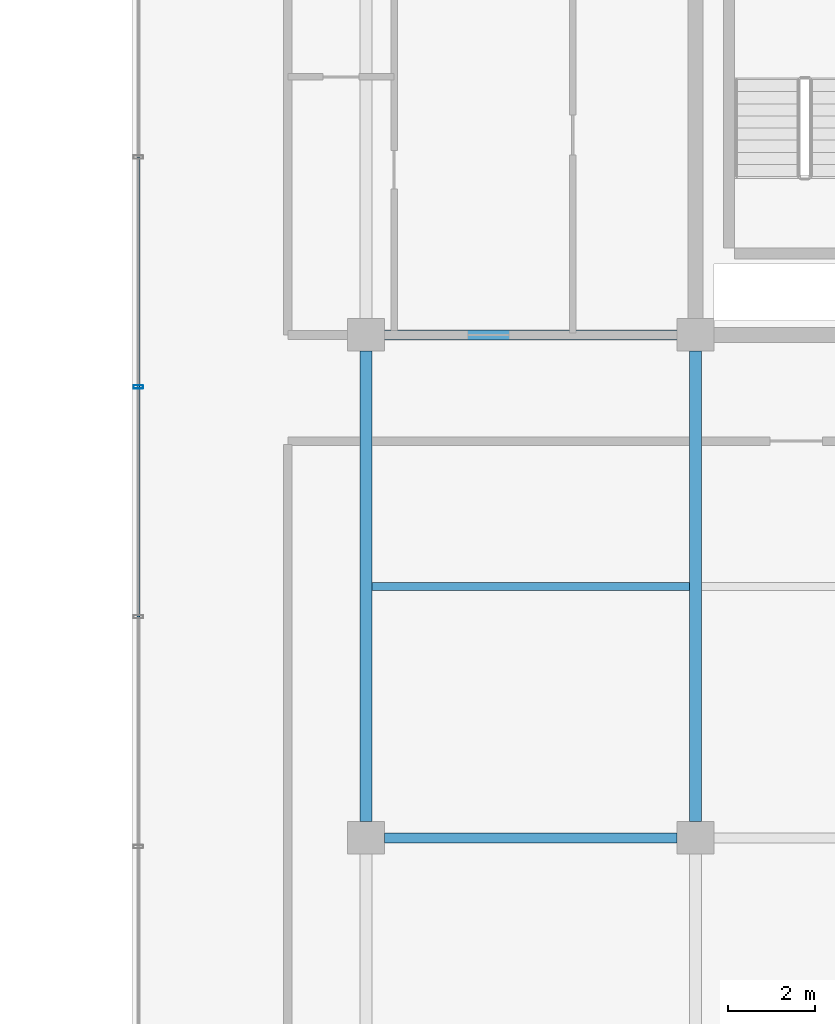
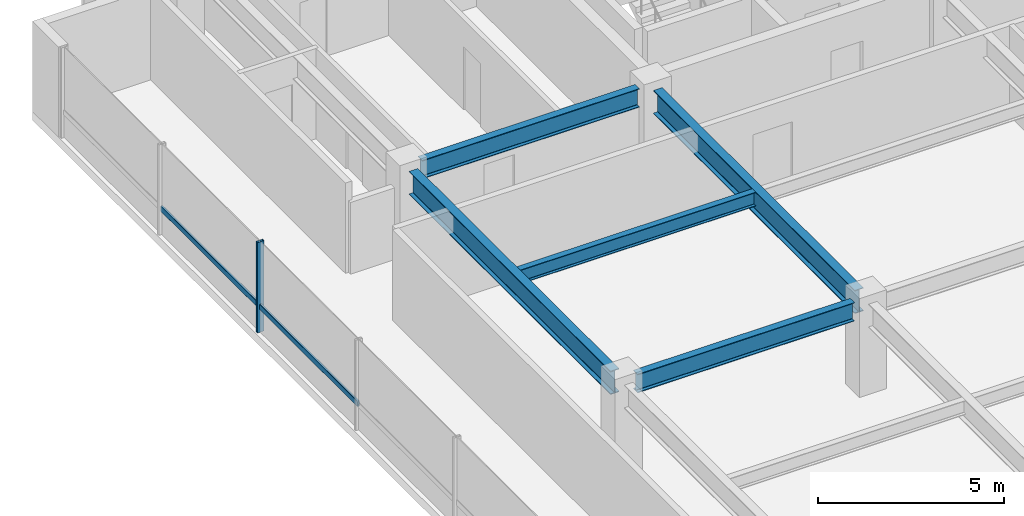
# One storey, part 3 of 38: 5 beams, 3 members, 1 element without a shape of its own.
"""IFC4 building model written with IfcOpenShell, lengths in metres."""

import ifcopenshell
import ifcopenshell.guid

model = None  # the IFC model being written
_history = None  # IfcOwnerHistory: only IFC2X3 demands one
_inside = {}  # id of a spatial element -> (the spatial element, [elements in it])
_under = {}  # id of a project, library or spatial element -> (it, [spatial elements below it])
_declared = {}  # id of a project -> (the project, [libraries it declares])
_typed = {}  # id of a type object -> (the type object, [elements of that type])
_made_of = {}  # id of a material, layer set ... -> (it, [elements and type objects made of it])


def new_model(schema):
    """Start an empty IFC model of exactly this schema.

    Asked for "IFC4X3", IfcOpenShell would pick the latest addendum, in which some entities
    have other attributes; the version numbers below select the first issue.
    IFC2X3 requires an IfcOwnerHistory on every rooted entity: one is made here for all.
    """
    global model, _history
    if schema == "IFC4X3":
        model = ifcopenshell.file(schema_version=(4, 3, 0, 0))
    else:
        model = ifcopenshell.file(schema=schema)
    _inside.clear()
    _under.clear()
    _declared.clear()
    _typed.clear()
    _made_of.clear()
    _history = None
    if model.schema == "IFC2X3":
        org = make("IfcOrganization", Name="unknown")
        user = make(
            "IfcPersonAndOrganization",
            ThePerson=make("IfcPerson", FamilyName="unknown"),
            TheOrganization=org,
        )
        app = make(
            "IfcApplication",
            ApplicationDeveloper=org,
            Version="unknown",
            ApplicationFullName="unknown",
            ApplicationIdentifier="unknown",
        )
        _history = make(
            "IfcOwnerHistory",
            OwningUser=user,
            OwningApplication=app,
            ChangeAction="ADDED",
            CreationDate=0,
        )
    return model


def make(cls, **values):
    """One entity of the class cls with the attributes given. An attribute that is None is left unset."""
    return model.create_entity(
        cls, **{name: value for name, value in values.items() if value is not None}
    )


def rooted(cls, **values):
    """An entity with a GlobalId (a new one), such as an element, a storey or a relation."""
    return make(cls, GlobalId=ifcopenshell.guid.new(), OwnerHistory=_history, **values)


def si_unit(unit_type, name, prefix=None):
    """IfcSIUnit, for example si_unit("LENGTHUNIT", "METRE", prefix="MILLI")."""
    return make("IfcSIUnit", UnitType=unit_type, Prefix=prefix, Name=name)


def assignment(units):
    """IfcUnitAssignment: the units of a project."""
    return None if units is None else make("IfcUnitAssignment", Units=units)


def point(xyz):
    """IfcCartesianPoint."""
    return None if xyz is None else make("IfcCartesianPoint", Coordinates=xyz)


def direction(xyz):
    """IfcDirection."""
    return None if xyz is None else make("IfcDirection", DirectionRatios=xyz)


def frame(location, z_axis=None, x_axis=None):
    """IfcAxis2Placement3D, a coordinate frame: its origin and axes. An axis left out is left unset."""
    return make(
        "IfcAxis2Placement3D",
        Location=point(location),
        Axis=direction(z_axis),
        RefDirection=direction(x_axis),
    )


def frame_2d(location, x_axis=None):
    """IfcAxis2Placement2D, a coordinate frame in the plane: its origin and x axis."""
    return make(
        "IfcAxis2Placement2D", Location=point(location), RefDirection=direction(x_axis)
    )


def origin():
    """The frame at (0, 0, 0) with its axes left unset."""
    return frame((0.0, 0.0, 0.0))


def origin_2d():
    """The frame at (0, 0) in the plane with its x axis left unset."""
    return frame_2d((0.0, 0.0))


def place(relative_to, where):
    """IfcLocalPlacement: puts the frame where relative to a parent placement (None: the world)."""
    return make(
        "IfcLocalPlacement", PlacementRelTo=relative_to, RelativePlacement=where
    )


def context(
    kind, dimensions, precision=None, world=None, true_north=None, identifier=None
):
    """IfcGeometricRepresentationContext, for example the 3D "Model" context."""
    return make(
        "IfcGeometricRepresentationContext",
        ContextIdentifier=identifier,
        ContextType=kind,
        CoordinateSpaceDimension=dimensions,
        Precision=precision,
        WorldCoordinateSystem=world,
        TrueNorth=true_north,
    )


def subcontext(parent, identifier, kind, view, scale=None):
    """IfcGeometricRepresentationSubContext, for example "Body" below "Model"."""
    return make(
        "IfcGeometricRepresentationSubContext",
        ContextIdentifier=identifier,
        ContextType=kind,
        ParentContext=parent,
        TargetScale=scale,
        TargetView=view,
    )


def project(units=None, contexts=None):
    """IfcProject with its units and contexts."""
    return rooted(
        "IfcProject",
        Name="project",
        RepresentationContexts=contexts,
        UnitsInContext=assignment(units),
    )


def spatial(cls, under=None, at=None, **own):
    """A site, building, storey or space (cls), placed at a placement, below another one or the project."""
    s = rooted(cls, ObjectPlacement=at, **own)
    if under is not None:
        _under.setdefault(under.id(), (under, []))[1].append(s)
    return s


def profile(cls, at=None, kind="AREA", **sizes):
    """A parametric profile (cls). Its sizes go by their IFC names, for example OverallWidth=200.0."""
    return make(cls, ProfileType=kind, Position=at, **sizes)


def hollow_rectangle(**sizes):
    """IfcRectangleHollowProfileDef."""
    return profile("IfcRectangleHollowProfileDef", **sizes)


def i_section(**sizes):
    """IfcIShapeProfileDef."""
    return profile("IfcIShapeProfileDef", **sizes)


def extrude(swept, where, along, depth):
    """IfcExtrudedAreaSolid: the profile swept, set in the frame where, extruded along a direction by depth."""
    return make(
        "IfcExtrudedAreaSolid",
        SweptArea=swept,
        Position=where,
        ExtrudedDirection=direction(along),
        Depth=depth,
    )


def shape(context_of_items, identifier, shape_type, items):
    """IfcShapeRepresentation: the items that make up one representation, for example the "Body"."""
    return make(
        "IfcShapeRepresentation",
        ContextOfItems=context_of_items,
        RepresentationIdentifier=identifier,
        RepresentationType=shape_type,
        Items=items,
    )


def material(Name=None, Category=None):
    """IfcMaterial."""
    return make("IfcMaterial", Name=Name, Category=Category)


def layer(
    of_material, thickness, ventilated=None, Name=None, Category=None, Priority=None
):
    """IfcMaterialLayer: one layer of a wall or slab, of a material (None: an air gap)."""
    return make(
        "IfcMaterialLayer",
        Material=of_material,
        LayerThickness=thickness,
        IsVentilated=ventilated,
        Name=Name,
        Category=Category,
        Priority=Priority,
    )


def layer_set(layers, Name=None):
    """IfcMaterialLayerSet."""
    return make("IfcMaterialLayerSet", MaterialLayers=layers, LayerSetName=Name)


def material_profile(
    of_material, cross_section, Name=None, Category=None, Priority=None
):
    """IfcMaterialProfile: a cross section and its material."""
    return make(
        "IfcMaterialProfile",
        Name=Name,
        Material=of_material,
        Profile=cross_section,
        Priority=Priority,
        Category=Category,
    )


def profile_set(profiles, Name=None, composite=None):
    """IfcMaterialProfileSet."""
    return make(
        "IfcMaterialProfileSet",
        Name=Name,
        MaterialProfiles=profiles,
        CompositeProfile=composite,
    )


def made_of(thing, what):
    """Note that an element or type object is made of a material, layer set ...; save() writes the relation."""
    if what is not None:
        _made_of.setdefault(what.id(), (what, []))[1].append(thing)
    return thing


def type_object(cls, material=None, **own):
    """A type object (cls), such as IfcWallType, which elements share."""
    return made_of(rooted(cls, **own), material)


def element(
    cls,
    number,
    at=None,
    inside=None,
    cuts=None,
    type_object=None,
    material=None,
    context=None,
    identifier="Body",
    shape_type=None,
    held_by="IfcProductDefinitionShape",
    body=None,
    shapes=None,
    **own,
):
    """One element of the class cls, such as IfcWall. Its Tag is "e" and its number.

    at: its placement. inside: the storey or other place that contains it. cuts: it is an
    opening in that element (IfcRelVoidsElement). A single representation is given by context,
    identifier, shape_type and body (its items); several are given by shapes. held_by: the class
    of the entity that holds the representations. save() writes the other relations.
    """
    e = rooted(cls, Tag="e%d" % number, ObjectPlacement=at, **own)
    if body is not None:
        shapes = [shape(context, identifier, shape_type, body)]
    if shapes is not None:
        e.Representation = make(held_by, Representations=shapes)
    if inside is not None:
        _inside.setdefault(inside.id(), (inside, []))[1].append(e)
    if cuts is not None:
        rooted(
            "IfcRelVoidsElement", RelatingBuildingElement=cuts, RelatedOpeningElement=e
        )
    if type_object is not None:
        _typed.setdefault(type_object.id(), (type_object, []))[1].append(e)
    return made_of(e, material)


def aggregate(whole, parts):
    """IfcRelAggregates: a whole, such as a stair, and the parts it consists of."""
    return rooted("IfcRelAggregates", RelatingObject=whole, RelatedObjects=parts)


def save(model, path):
    """Write the relations noted so far, then the file.

    IfcRelAggregates (storeys below a building ...), IfcRelContainedInSpatialStructure (elements
    in a storey), IfcRelDefinesByType, IfcRelAssociatesMaterial and IfcRelDeclares: one each for
    every whole, place, type object, material and project.
    """
    for whole, parts in _under.values():
        aggregate(whole, parts)
    for where, things in _inside.values():
        rooted(
            "IfcRelContainedInSpatialStructure",
            RelatedElements=things,
            RelatingStructure=where,
        )
    for kind, things in _typed.values():
        rooted("IfcRelDefinesByType", RelatedObjects=things, RelatingType=kind)
    for what, things in _made_of.values():
        rooted("IfcRelAssociatesMaterial", RelatedObjects=things, RelatingMaterial=what)
    for by, libraries in _declared.values():
        rooted("IfcRelDeclares", RelatingContext=by, RelatedDefinitions=libraries)
    model.write(path)


model = new_model("IFC4")

# Units and contexts
model_context = context("Model", 3, precision=1e-05, world=origin(), true_north=direction((0.0, 1.0)))
body_context = subcontext(model_context, "Body", "Model", "MODEL_VIEW")
ifc_project = project(units=[si_unit("LENGTHUNIT", "METRE"), si_unit("AREAUNIT", "SQUARE_METRE"), si_unit("VOLUMEUNIT", "CUBIC_METRE"), si_unit("PLANEANGLEUNIT", "RADIAN"), si_unit("MASSUNIT", "GRAM", prefix="KILO")], contexts=[model_context])

# Site, building, storey
site_placement = place(None, origin())
site = spatial("IfcSite", under=ifc_project, at=site_placement, CompositionType="ELEMENT")
building_placement = place(site_placement, origin())
building = spatial("IfcBuilding", under=site, at=building_placement, Name="Korimba Cascade Residences", CompositionType="ELEMENT")
storey_placement = place(building_placement, frame((0.0, 0.0, 93.800048828125)))
storey = spatial("IfcBuildingStorey", under=building, at=storey_placement, Name="L26", CompositionType="ELEMENT", Elevation=93.800048828125)

# Beams
ifc_material_1 = material(Name="Steel S355", Category="steel")
ifc_material_profile_1 = material_profile(ifc_material_1, i_section(OverallWidth=0.19140625, OverallDepth=0.4599609375, WebThickness=0.010009765625, FlangeThickness=0.01611328125, FilletRadius=0.01025390625, at=origin_2d()), Name="Steel S355")
ifc_profile_set_1 = profile_set([ifc_material_profile_1], Name="Steel S355")
beam_type_1 = type_object("IfcBeamType", Name="BM-STL-UB457", PredefinedType="JOIST", material=ifc_profile_set_1)
beam_placement = place(storey_placement, frame((74.634033203125, 12.60009765625, 2.739990234375), z_axis=(1.0, 0.0, 0.0), x_axis=(0.0, 1.0, 0.0)))
element("IfcBeam", 1, at=beam_placement, inside=storey, type_object=beam_type_1, Name="L26 T2 Floor Joist 2.1", PredefinedType="JOIST", context=body_context, shape_type="SweptSolid", body=[
    extrude(i_section(OverallWidth=0.19140625, OverallDepth=0.4599609375, WebThickness=0.010009765625, FlangeThickness=0.01611328125, FilletRadius=0.01025390625, at=origin_2d()), origin(), (0.0, 0.0, 1.0), 7.33203125),
])
ifc_material_profile_2 = material_profile(ifc_material_1, i_section(OverallWidth=0.22900390625, OverallDepth=0.6123046875, WebThickness=0.011962890625, FlangeThickness=0.01953125, FilletRadius=0.0126953125, at=origin_2d()), Name="Steel S355")
ifc_profile_set_2 = profile_set([ifc_material_profile_2], Name="Steel S355")
beam_type_2 = type_object("IfcBeamType", Name="BM-STL-UB610B", PredefinedType="BEAM", material=ifc_profile_set_2)
for number, where, z_axis, x_axis, name in (
    (2, (74.925048828125, 6.800048828125, 2.663818359375), (1.0, 0.0, 0.0), (0.0, 1.0, 0.0), "L26 T2 E-W Girder Y2 Bay 1"),
    (3, (74.925048828125, 18.39990234375, 2.663818359375), (1.0, 0.0, 0.0), (0.0, 1.0, 0.0), "L26 T2 E-W Girder Y3 Bay 1"),
):
    element("IfcBeam", number, at=place(storey_placement, frame(where, z_axis=z_axis, x_axis=x_axis)), inside=storey, type_object=beam_type_2, Name=name, PredefinedType="BEAM", context=body_context, shape_type="SweptSolid", body=[
        extrude(i_section(OverallWidth=0.22900390625, OverallDepth=0.6123046875, WebThickness=0.011962890625, FlangeThickness=0.01953125, FilletRadius=0.0126953125, at=origin_2d()), origin(), (0.0, 0.0, 1.0), 6.75),
    ])
ifc_material_profile_3 = material_profile(ifc_material_1, i_section(OverallWidth=0.26806640625, OverallDepth=0.769775390625, WebThickness=0.015625, FlangeThickness=0.025390625, FilletRadius=0.0166015625, at=origin_2d()), Name="Steel S355")
ifc_profile_set_3 = profile_set([ifc_material_profile_3], Name="Steel S355")
beam_type_3 = type_object("IfcBeamType", Name="BM-STL-UB762", PredefinedType="BEAM", material=ifc_profile_set_3)
for number, where, z_axis, x_axis, name in (
    (4, (74.5, 7.175048828125, 2.5849609375), (0.0, 1.0, 0.0), (-1.0, 0.0, 0.0), "L26 T2 N-S Girder X1 Seg 2"),
    (5, (82.10009765625, 7.175048828125, 2.5849609375), (0.0, 1.0, 0.0), (-1.0, 0.0, 0.0), "L26 T2 N-S Girder X2 Seg 2"),
):
    element("IfcBeam", number, at=place(storey_placement, frame(where, z_axis=z_axis, x_axis=x_axis)), inside=storey, type_object=beam_type_3, Name=name, PredefinedType="BEAM", context=body_context, shape_type="SweptSolid", body=[
        extrude(i_section(OverallWidth=0.26806640625, OverallDepth=0.769775390625, WebThickness=0.015625, FlangeThickness=0.025390625, FilletRadius=0.0166015625, at=origin_2d()), origin(), (0.0, 0.0, 1.0), 10.849853515625),
    ])

# Curtain wall, members
ifc_material_2 = material(Name="Anodised Aluminium Curtain Wall Framing", Category="aluminium")
ifc_layer = layer(ifc_material_2, 0.179931640625)
ifc_layer_set = layer_set([ifc_layer], Name="Anodised Aluminium Curtain Wall Framing")
curtain_wall_type = type_object("IfcCurtainWallType", Name="CW-SKY-SYS2", PredefinedType="NOTDEFINED", material=ifc_layer_set)
curtain_wall_placement = place(storey_placement, origin())
curtain_wall = element("IfcCurtainWall", 6, at=curtain_wall_placement, inside=storey, type_object=curtain_wall_type, Name="L26 Curtain Wall CW-L26-T2-E9", PredefinedType="NOTDEFINED")
ifc_material_3 = material(Name="Anodised Aluminium Mullion", Category="aluminium")
ifc_material_profile_4 = material_profile(ifc_material_3, hollow_rectangle(XDim=0.080078125, YDim=0.219970703125, WallThickness=0.00634765625, InnerFilletRadius=0.00634765625, OuterFilletRadius=0.0126953125, at=origin_2d()), Name="Anodised Aluminium Mullion")
ifc_profile_set_4 = profile_set([ifc_material_profile_4], Name="Anodised Aluminium Mullion")
member_type_1 = type_object("IfcMemberType", Name="CWM-MUL-220", PredefinedType="MULLION", material=ifc_profile_set_4)
member_1_placement = place(storey_placement, frame((69.25, 17.199951171875, 0.0), z_axis=(0.0, 0.0, 1.0), x_axis=(0.0, -1.0, 0.0)))
member_1 = element("IfcMember", 7, at=member_1_placement, type_object=member_type_1, Name="CW-L26-T2-E9 Mullion 3", PredefinedType="MULLION", context=body_context, shape_type="SweptSolid", body=[
    extrude(hollow_rectangle(XDim=0.080078125, YDim=0.219970703125, WallThickness=0.00634765625, InnerFilletRadius=0.00634765625, OuterFilletRadius=0.0126953125, at=origin_2d()), origin(), (0.0, 0.0, 1.0), 2.969970703125),
])
ifc_material_4 = material(Name="Anodised Aluminium Transom", Category="aluminium")
ifc_material_profile_5 = material_profile(ifc_material_4, hollow_rectangle(XDim=0.070068359375, YDim=0.179931640625, WallThickness=0.0048828125, InnerFilletRadius=0.0048828125, OuterFilletRadius=0.010009765625, at=origin_2d()), Name="Anodised Aluminium Transom")
ifc_profile_set_5 = profile_set([ifc_material_profile_5], Name="Anodised Aluminium Transom")
member_type_2 = type_object("IfcMemberType", Name="CWM-TRN-150", PredefinedType="USERDEFINED", material=ifc_profile_set_5)
member_2_placement = place(storey_placement, frame((69.25, 22.5, 0.83154296875), z_axis=(0.0, -1.0, 0.0), x_axis=(1.0, 0.0, 0.0)))
member_2 = element("IfcMember", 8, at=member_2_placement, type_object=member_type_2, Name="CW-L26-T2-E9 Transom 2", ObjectType="TRANSOM", PredefinedType="USERDEFINED", context=body_context, shape_type="SweptSolid", body=[
    extrude(hollow_rectangle(XDim=0.070068359375, YDim=0.179931640625, WallThickness=0.0048828125, InnerFilletRadius=0.0048828125, OuterFilletRadius=0.010009765625, at=origin_2d()), origin(), (0.0, 0.0, 1.0), 5.300048828125),
])
member_3_placement = place(storey_placement, frame((69.25, 17.199951171875, 0.83154296875), z_axis=(0.0, -1.0, 0.0), x_axis=(1.0, 0.0, 0.0)))
member_3 = element("IfcMember", 9, at=member_3_placement, type_object=member_type_2, Name="CW-L26-T2-E9 Transom 3", ObjectType="TRANSOM", PredefinedType="USERDEFINED", context=body_context, shape_type="SweptSolid", body=[
    extrude(hollow_rectangle(XDim=0.070068359375, YDim=0.179931640625, WallThickness=0.0048828125, InnerFilletRadius=0.0048828125, OuterFilletRadius=0.010009765625, at=origin_2d()), origin(), (0.0, 0.0, 1.0), 5.300048828125),
])
aggregate(curtain_wall, [member_1, member_2, member_3])

save(model, "model.ifc")
